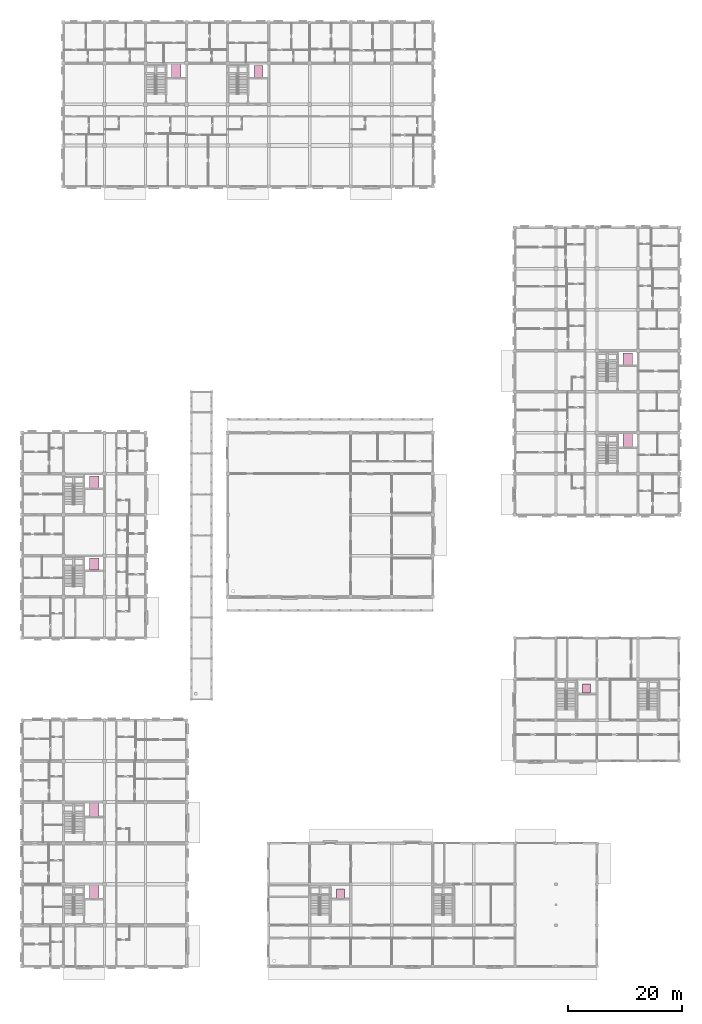
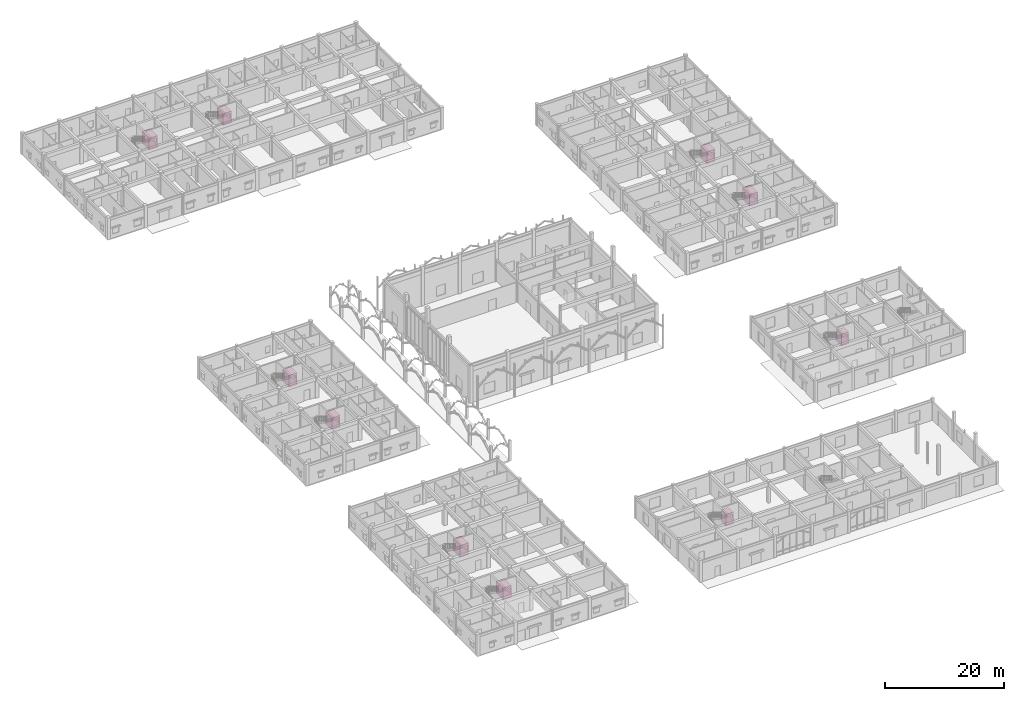
# One storey, part 138 of 138: 10 transport elements.
"""IFC4 building model written with IfcOpenShell, lengths in metres."""

from ifc_helpers import new_model, si_unit, direction, frame, origin, origin_2d, place, context, subcontext, project, spatial, rectangle, extrude, material, type_object, element, save


model = new_model("IFC4")

# Units and contexts
model_context = context("Model", 3, precision=1e-05, world=origin(), true_north=direction((0.0, 1.0)))
body_context = subcontext(model_context, "Body", "Model", "MODEL_VIEW")
ifc_project = project(units=[si_unit("LENGTHUNIT", "METRE"), si_unit("AREAUNIT", "SQUARE_METRE"), si_unit("VOLUMEUNIT", "CUBIC_METRE"), si_unit("PLANEANGLEUNIT", "RADIAN"), si_unit("MASSUNIT", "GRAM", prefix="KILO"), si_unit("THERMODYNAMICTEMPERATUREUNIT", "KELVIN"), si_unit("POWERUNIT", "WATT")], contexts=[model_context])

# Site, building, storey
site_placement = place(None, origin())
site = spatial("IfcSite", under=ifc_project, at=site_placement, CompositionType="ELEMENT")
building_placement = place(site_placement, origin())
building = spatial("IfcBuilding", under=site, at=building_placement, Name="Tavuni Mirador Residences", CompositionType="ELEMENT")
storey_placement = place(building_placement, origin())
storey = spatial("IfcBuildingStorey", under=building, at=storey_placement, Name="L00", CompositionType="ELEMENT", Elevation=0.0)

# Transport elements
ifc_material = material(Name="Structural steel S355", Category="steel")
transport_element_type_1 = type_object("IfcTransportElementType", Name="LFT-FF1600", PredefinedType="ELEVATOR", material=ifc_material)
for number, where, z_axis, x_axis, name in (
    (1, (16.199951171875, 20.323974609375, 0.0), (0.0, 0.0, 1.0), (1.0, 0.0, 0.0), "Firefighting lift FL-A1"),
    (2, (16.199951171875, 34.72412109375, 0.0), (0.0, 0.0, 1.0), (1.0, 0.0, 0.0), "Firefighting lift FL-A2"),
    (3, (30.60009765625, 164.323974609375, 0.0), (0.0, 0.0, 1.0), (1.0, 0.0, 0.0), "Firefighting lift FL-C1"),
    (4, (109.800048828125, 99.52392578125, 0.0), (0.0, 0.0, 1.0), (1.0, 0.0, 0.0), "Firefighting lift FL-D1"),
):
    element("IfcTransportElement", number, at=place(storey_placement, frame(where, z_axis=z_axis, x_axis=x_axis)), inside=storey, type_object=transport_element_type_1, Name=name, PredefinedType="ELEVATOR", context=body_context, shape_type="SweptSolid", body=[
        extrude(rectangle(XDim=1.60009765625, YDim=2.39990234375, at=origin_2d()), origin(), (0.0, 0.0, 1.0), 2.39990234375),
    ])
transport_element_type_2 = type_object("IfcTransportElementType", Name="LFT-PAX1000", PredefinedType="ELEVATOR", material=ifc_material)
for number, where, z_axis, x_axis, name in (
    (5, (59.39990234375, 19.924072265625, 0.0), (0.0, 0.0, 1.0), (1.0, 0.0, 0.0), "Passenger lift PL-S1"),
    (6, (102.60009765625, 55.924072265625, 0.0), (0.0, 0.0, 1.0), (1.0, 0.0, 0.0), "Passenger lift PL-N1"),
):
    element("IfcTransportElement", number, at=place(storey_placement, frame(where, z_axis=z_axis, x_axis=x_axis)), inside=storey, type_object=transport_element_type_2, Name=name, PredefinedType="ELEVATOR", context=body_context, shape_type="SweptSolid", body=[
        extrude(rectangle(XDim=1.39990234375, YDim=1.60009765625, at=origin_2d()), origin(), (0.0, 0.0, 1.0), 2.39990234375),
    ])
transport_element_type_3 = type_object("IfcTransportElementType", Name="LFT-PAX1275", PredefinedType="ELEVATOR", material=ifc_material)
for number, where, z_axis, x_axis, name in (
    (7, (16.199951171875, 77.77392578125, 0.0), (0.0, 0.0, 1.0), (1.0, 0.0, 0.0), "Passenger lift PL-B1"),
    (8, (16.199951171875, 92.174072265625, 0.0), (0.0, 0.0, 1.0), (1.0, 0.0, 0.0), "Passenger lift PL-B2"),
    (9, (45.0, 164.174072265625, 0.0), (0.0, 0.0, 1.0), (1.0, 0.0, 0.0), "Passenger lift PL-C1"),
    (10, (109.800048828125, 113.77392578125, 0.0), (0.0, 0.0, 1.0), (1.0, 0.0, 0.0), "Passenger lift PL-D1"),
):
    element("IfcTransportElement", number, at=place(storey_placement, frame(where, z_axis=z_axis, x_axis=x_axis)), inside=storey, type_object=transport_element_type_3, Name=name, PredefinedType="ELEVATOR", context=body_context, shape_type="SweptSolid", body=[
        extrude(rectangle(XDim=1.60009765625, YDim=2.10009765625, at=origin_2d()), origin(), (0.0, 0.0, 1.0), 2.39990234375),
    ])

save(model, "model.ifc")
